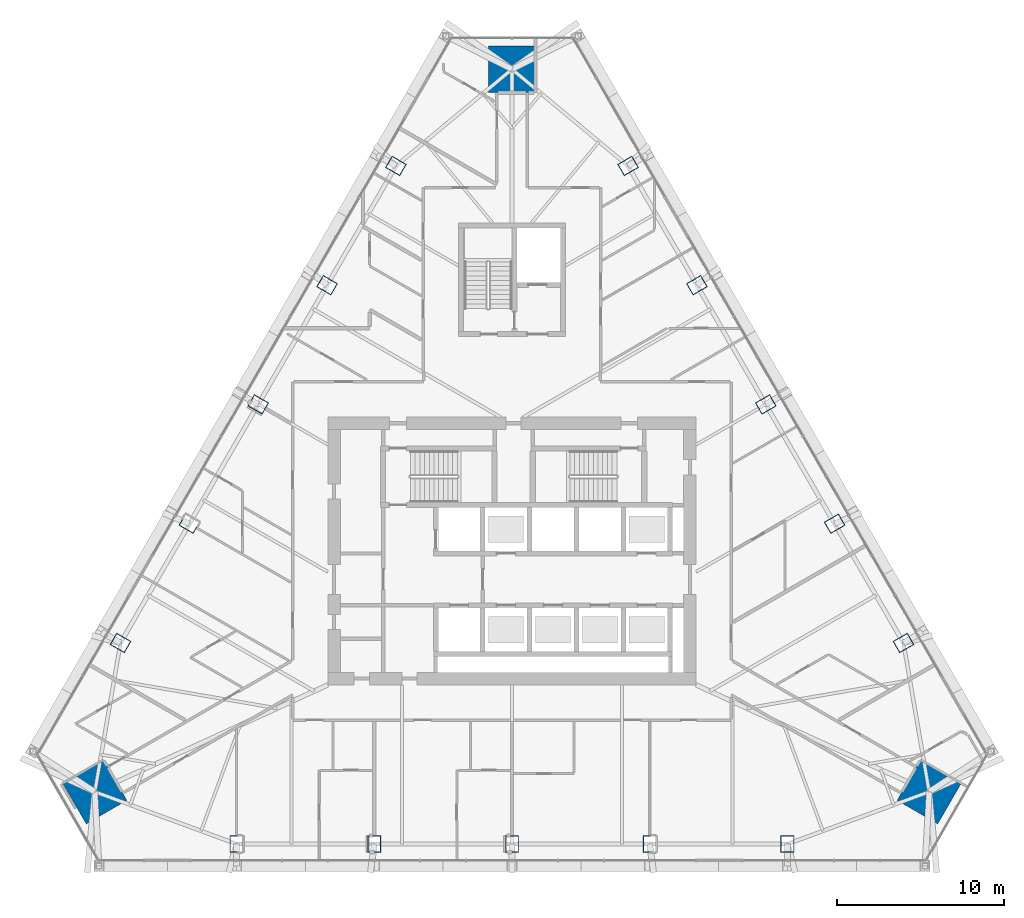
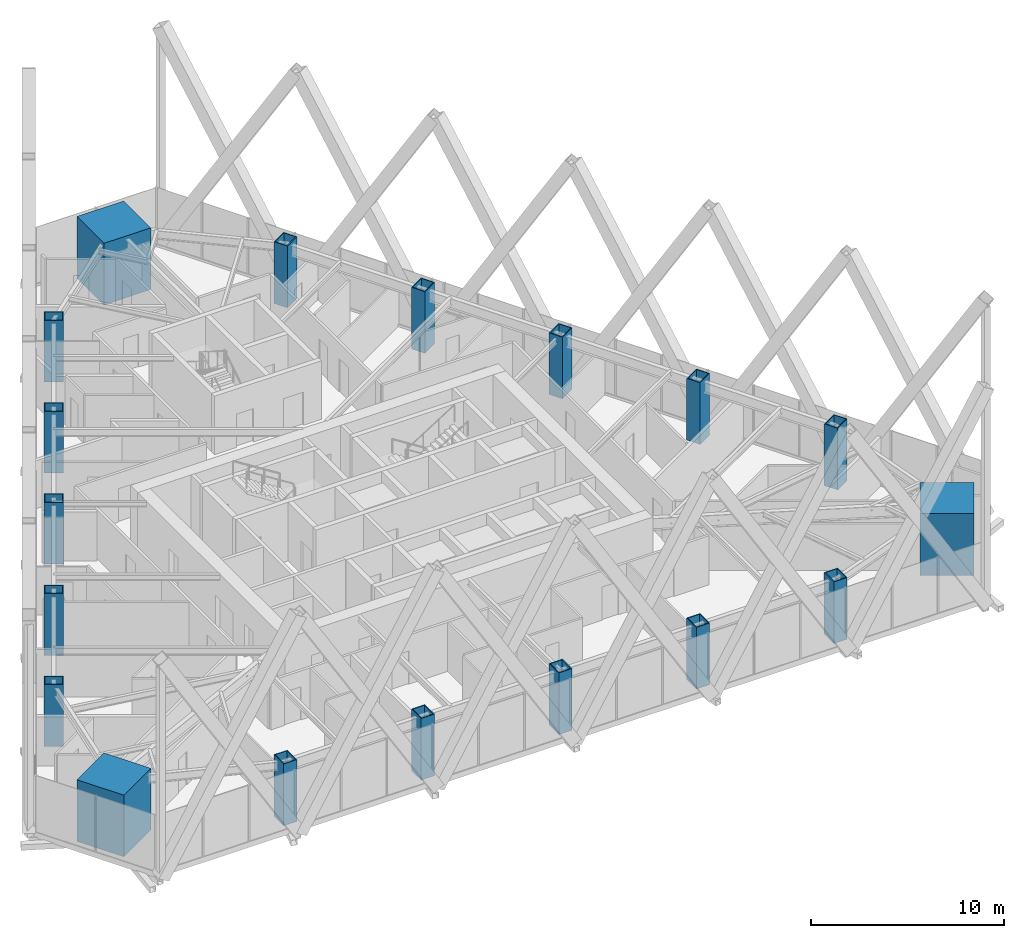
# One storey, part 1 of 19: 18 columns.
"""IFC4 building model written with IfcOpenShell, lengths in metres."""

from ifc_helpers import new_model, si_unit, direction, frame, origin, origin_2d, place, context, subcontext, project, spatial, rectangle, hollow_rectangle, extrude, material, material_profile, profile_set, type_object, element, save


model = new_model("IFC4")

# Units and contexts
model_context = context("Model", 3, precision=1e-05, world=origin(), true_north=direction((0.0, 1.0)))
body_context = subcontext(model_context, "Body", "Model", "MODEL_VIEW")
ifc_project = project(units=[si_unit("LENGTHUNIT", "METRE"), si_unit("AREAUNIT", "SQUARE_METRE"), si_unit("VOLUMEUNIT", "CUBIC_METRE"), si_unit("PLANEANGLEUNIT", "RADIAN"), si_unit("MASSUNIT", "GRAM", prefix="KILO")], contexts=[model_context])

# Site, building, storey
site_placement = place(None, origin())
site = spatial("IfcSite", under=ifc_project, at=site_placement, CompositionType="ELEMENT")
building_placement = place(site_placement, origin())
building = spatial("IfcBuilding", under=site, at=building_placement, Name="Firuza Gate Tower and Library", CompositionType="ELEMENT")
storey_placement = place(building_placement, frame((0.0, 0.0, 233.800048828125)))
storey = spatial("IfcBuildingStorey", under=building, at=storey_placement, Name="L55", CompositionType="ELEMENT", Elevation=233.800048828125)

# Columns
ifc_material_1 = material(Name="Steel S355", Category="steel")
ifc_material_profile_1 = material_profile(ifc_material_1, hollow_rectangle(XDim=0.800048828125, YDim=1.0, WallThickness=0.050048828125, at=origin_2d()))
ifc_profile_set_1 = profile_set([ifc_material_profile_1], Name="Steel S355")
column_type_1 = type_object("IfcColumnType", Name="BU1000x800x50 Composite box column", PredefinedType="COLUMN", material=ifc_profile_set_1)
for number, where, z_axis, x_axis, name in (
    (1, (58.548828125, 57.49609375, -0.00048828125), (0.0, 0.0, 1.0), (1.0, 0.0, 0.0), "Column S1 L55"),
    (2, (66.7744140625, 57.49609375, -0.00048828125), (0.0, 0.0, 1.0), (1.0, 0.0, 0.0), "Column S2 L55"),
    (3, (75.0, 57.49609375, -0.00048828125), (0.0, 0.0, 1.0), (1.0, 0.0, 0.0), "Column S3 L55"),
    (4, (83.2255859375, 57.49609375, -0.00048828125), (0.0, 0.0, 1.0), (1.0, 0.0, 0.0), "Column S4 L55"),
    (5, (91.451171875, 57.49609375, -0.00048828125), (0.0, 0.0, 1.0), (1.0, 0.0, 0.0), "Column S5 L55"),
    (6, (98.384521484375, 69.5048828125, -0.00048828125), (0.0, 0.0, 1.0), (-0.5, 0.866025403784, 0.0), "Column E1 L55"),
    (7, (94.271728515625, 76.62841796875, -0.00048828125), (0.0, 0.0, 1.0), (-0.5, 0.866025403784, 0.0), "Column E2 L55"),
    (8, (90.158935546875, 83.751953125, -0.00048828125), (0.0, 0.0, 1.0), (-0.5, 0.866025403784, 0.0), "Column E3 L55"),
    (9, (86.046142578125, 90.87548828125, -0.00048828125), (0.0, 0.0, 1.0), (-0.5, 0.866025403784, 0.0), "Column E4 L55"),
    (10, (81.933349609375, 97.9990234375, -0.00048828125), (0.0, 0.0, 1.0), (-0.5, 0.866025403784, 0.0), "Column E5 L55"),
    (11, (68.066650390625, 97.9990234375, -0.00048828125), (0.0, 0.0, 1.0), (-0.5, -0.866025403784, 0.0), "Column W1 L55"),
    (12, (63.953857421875, 90.87548828125, -0.00048828125), (0.0, 0.0, 1.0), (-0.5, -0.866025403784, 0.0), "Column W2 L55"),
    (13, (59.841064453125, 83.751953125, -0.00048828125), (0.0, 0.0, 1.0), (-0.5, -0.866025403784, 0.0), "Column W3 L55"),
    (14, (55.728271484375, 76.62841796875, -0.00048828125), (0.0, 0.0, 1.0), (-0.5, -0.866025403784, 0.0), "Column W4 L55"),
    (15, (51.615478515625, 69.5048828125, -0.00048828125), (0.0, 0.0, 1.0), (-0.5, -0.866025403784, 0.0), "Column W5 L55"),
):
    element("IfcColumn", number, at=place(storey_placement, frame(where, z_axis=z_axis, x_axis=x_axis)), inside=storey, type_object=column_type_1, Name=name, PredefinedType="COLUMN", context=body_context, shape_type="SweptSolid", body=[
        extrude(hollow_rectangle(XDim=0.800048828125, YDim=1.0, WallThickness=0.050048828125, at=origin_2d()), origin(), (0.0, 0.0, 1.0), 3.900390625),
    ])
ifc_material_2 = material(Name="Concrete C80/95", Category="concrete")
ifc_material_profile_2 = material_profile(ifc_material_2, rectangle(XDim=2.800048828125, YDim=2.800048828125, at=origin_2d()))
ifc_profile_set_2 = profile_set([ifc_material_profile_2], Name="Concrete C80/95")
column_type_2 = type_object("IfcColumnType", Name="Mega column 2800x2800 C80/95", PredefinedType="COLUMN", material=ifc_profile_set_2)
for number, where, z_axis, x_axis, name in (
    (16, (99.917724609375, 60.61376953125, 0.0), (0.0, 0.0, 1.0), (0.5, 0.866025403784, 0.0), "Mega column SE L55"),
    (17, (75.0, 103.772705078125, 0.0), (0.0, 0.0, 1.0), (-1.0, 0.0, 0.0), "Mega column N L55"),
    (18, (50.082275390625, 60.61376953125, 0.0), (0.0, 0.0, 1.0), (0.5, -0.866025403784, 0.0), "Mega column SW L55"),
):
    element("IfcColumn", number, at=place(storey_placement, frame(where, z_axis=z_axis, x_axis=x_axis)), inside=storey, type_object=column_type_2, Name=name, PredefinedType="COLUMN", context=body_context, shape_type="SweptSolid", body=[
        extrude(rectangle(XDim=2.800048828125, YDim=2.800048828125, at=origin_2d()), origin(), (0.0, 0.0, 1.0), 3.89990234375),
    ])

save(model, "model.ifc")
